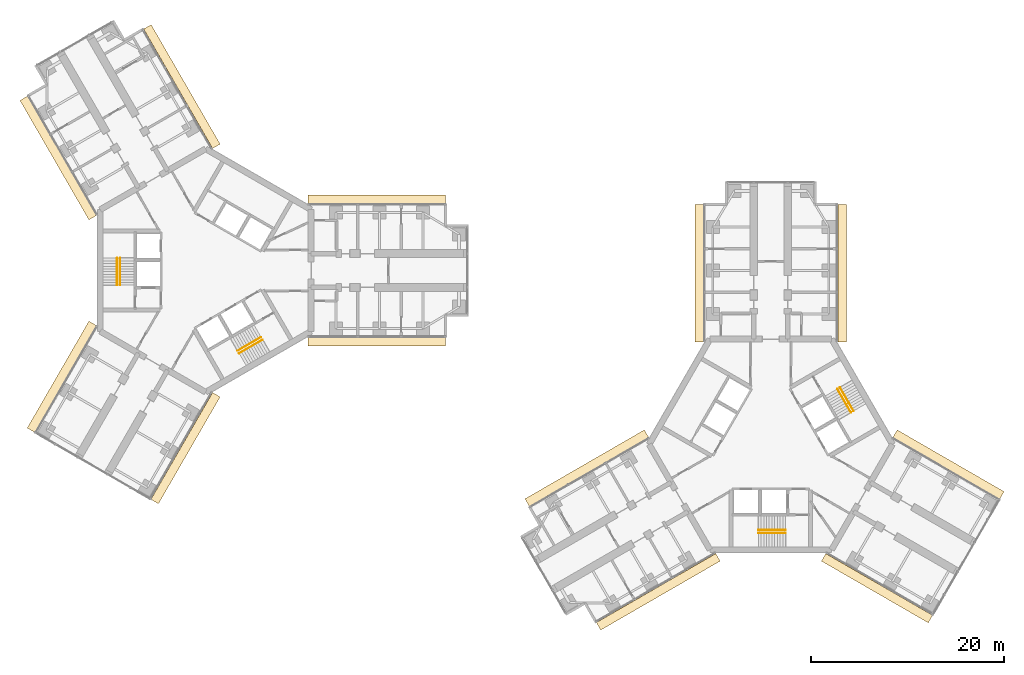
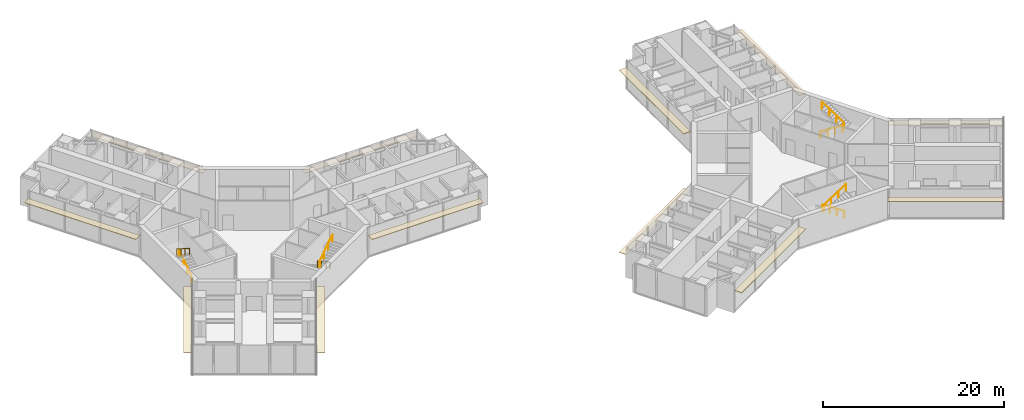
# One storey, part 21 of 21: 12 coverings, 8 railings.
"""IFC4 building model written with IfcOpenShell, lengths in metres."""

from ifc_helpers import new_model, si_unit, direction, frame, origin, origin_2d, place, context, subcontext, project, spatial, rectangle, circle, extrude, material, layer, layer_set, type_object, element, save


model = new_model("IFC4")

# Units and contexts
model_context = context("Model", 3, precision=1e-05, world=origin(), true_north=direction((0.0, 1.0)))
body_context = subcontext(model_context, "Body", "Model", "MODEL_VIEW")
ifc_project = project(units=[si_unit("LENGTHUNIT", "METRE"), si_unit("AREAUNIT", "SQUARE_METRE"), si_unit("VOLUMEUNIT", "CUBIC_METRE"), si_unit("PLANEANGLEUNIT", "RADIAN"), si_unit("MASSUNIT", "GRAM", prefix="KILO")], contexts=[model_context])

# Site, building, storey
site_placement = place(None, origin())
site = spatial("IfcSite", under=ifc_project, at=site_placement, CompositionType="ELEMENT")
building_placement = place(site_placement, origin())
building = spatial("IfcBuilding", under=site, at=building_placement, Name="Upepo Twin Towers", CompositionType="ELEMENT")
storey_placement = place(building_placement, frame((0.0, 0.0, 117.5)))
storey = spatial("IfcBuildingStorey", under=building, at=storey_placement, Name="L28", CompositionType="ELEMENT", Elevation=117.5)

# Coverings
ifc_material_1 = material(Name="Anodised aluminium, pale silver", Category="aluminium")
ifc_layer = layer(ifc_material_1, 0.080078125)
ifc_layer_set = layer_set([ifc_layer], Name="Brise-soleil blade 900 pale aluminium")
covering_type = type_object("IfcCoveringType", Name="Brise-soleil blade 900 pale aluminium", PredefinedType="USERDEFINED", material=ifc_layer_set)
for number, where, z_axis, x_axis, name in (
    (1, (17.718505859375, 7.389892578125, 2.909912109375), (0.0, 0.0, 1.0), (1.0, 0.0, 0.0), "T1 L28 wing A brise-soleil L"),
    (2, (17.718505859375, -7.389892578125, 2.909912109375), (0.0, 0.0, 1.0), (1.0, 0.0, 0.0), "T1 L28 wing A brise-soleil R"),
    (3, (-15.25927734375, 11.649658203125, 2.909912109375), (0.0, 0.0, 1.0), (-0.500000015115, 0.866025395058, 0.0), "T1 L28 wing B brise-soleil L"),
    (4, (-2.459228515625, 19.039794921875, 2.909912109375), (0.0, 0.0, 1.0), (-0.500000015115, 0.866025395058, 0.0), "T1 L28 wing B brise-soleil R"),
):
    element("IfcCovering", number, at=place(storey_placement, frame(where, z_axis=z_axis, x_axis=x_axis)), inside=storey, type_object=covering_type, Name=name, ObjectType="SUNSHADE", PredefinedType="USERDEFINED", context=body_context, shape_type="SweptSolid", body=[
        extrude(rectangle(XDim=14.262939453125, YDim=0.89990234375, at=origin_2d()), origin(), (0.0, 0.0, 1.0), 0.080078125),
    ])
for number, where, z_axis, x_axis, name in (
    (5, (-2.084228515625, -18.39013671875, 2.909912109375), (0.0, 0.0, 1.0), (-0.500000015115, -0.866025395058, 0.0), "T1 L28 wing C brise-soleil L"),
    (6, (-14.88427734375, -11.000244140625, 2.909912109375), (0.0, 0.0, 1.0), (-0.500000015115, -0.866025395058, 0.0), "T1 L28 wing C brise-soleil R"),
):
    element("IfcCovering", number, at=place(storey_placement, frame(where, z_axis=z_axis, x_axis=x_axis)), inside=storey, type_object=covering_type, Name=name, ObjectType="SUNSHADE", PredefinedType="USERDEFINED", context=body_context, shape_type="SweptSolid", body=[
        extrude(rectangle(XDim=12.762939453125, YDim=0.89990234375, at=origin_2d()), origin(), (0.0, 0.0, 1.0), 0.080078125),
    ])
for number, where, z_axis, x_axis, name in (
    (7, (51.110107421875, -0.281494140625, 2.909912109375), (0.0, 0.0, 1.0), (0.0, 1.0, 0.0), "T2 L28 wing A brise-soleil L"),
    (8, (65.889892578125, -0.281494140625, 2.909912109375), (0.0, 0.0, 1.0), (0.0, 1.0, 0.0), "T2 L28 wing A brise-soleil R"),
    (9, (46.850341796875, -33.25927734375, 2.909912109375), (0.0, 0.0, 1.0), (-0.866025395058, -0.500000015115, 0.0), "T2 L28 wing B brise-soleil L"),
    (10, (39.460205078125, -20.459228515625, 2.909912109375), (0.0, 0.0, 1.0), (-0.866025395058, -0.500000015115, 0.0), "T2 L28 wing B brise-soleil R"),
):
    element("IfcCovering", number, at=place(storey_placement, frame(where, z_axis=z_axis, x_axis=x_axis)), inside=storey, type_object=covering_type, Name=name, ObjectType="SUNSHADE", PredefinedType="USERDEFINED", context=body_context, shape_type="SweptSolid", body=[
        extrude(rectangle(XDim=14.262939453125, YDim=0.89990234375, at=origin_2d()), origin(), (0.0, 0.0, 1.0), 0.080078125),
    ])
for number, where, z_axis, x_axis, name in (
    (11, (76.89013671875, -20.084228515625, 2.909912109375), (0.0, 0.0, 1.0), (0.866025395058, -0.500000015115, 0.0), "T2 L28 wing C brise-soleil L"),
    (12, (69.500244140625, -32.88427734375, 2.909912109375), (0.0, 0.0, 1.0), (0.866025395058, -0.500000015115, 0.0), "T2 L28 wing C brise-soleil R"),
):
    element("IfcCovering", number, at=place(storey_placement, frame(where, z_axis=z_axis, x_axis=x_axis)), inside=storey, type_object=covering_type, Name=name, ObjectType="SUNSHADE", PredefinedType="USERDEFINED", context=body_context, shape_type="SweptSolid", body=[
        extrude(rectangle(XDim=12.762939453125, YDim=0.89990234375, at=origin_2d()), origin(), (0.0, 0.0, 1.0), 0.080078125),
    ])

# Railings
ifc_material_2 = material(Name="Stainless steel", Category="steel")
railing_type = type_object("IfcRailingType", Name="Stair handrail 900", PredefinedType="HANDRAIL", material=ifc_material_2)
railing_1_placement = place(storey_placement, frame((-8.85009765625, -1.52001953125, 0.181884765625)))
element("IfcRailing", 13, at=railing_1_placement, inside=storey, type_object=railing_type, Name="T1 stair S1 L28 handrail 1", PredefinedType="HANDRAIL", context=body_context, shape_type="SweptSolid", body=[
    extrude(circle(Radius=0.02392578125, at=origin_2d()), frame((0.0, 0.0, 0.8759765625), z_axis=(0.0, 0.838705829183, 0.544584733623), x_axis=(-1.0, 0.0, 0.0)), (0.0, 0.0, 1.0), 3.338623046875),
    extrude(circle(Radius=0.02099609375, at=origin_2d()), origin(), (0.0, 0.0, 1.0), 0.851806640625),
    extrude(circle(Radius=0.02099609375, at=origin_2d()), frame((0.0, 0.933349609375, 0.60595703125)), (0.0, 0.0, 1.0), 0.851806640625),
    extrude(circle(Radius=0.02099609375, at=origin_2d()), frame((0.0, 1.86669921875, 1.212158203125)), (0.0, 0.0, 1.0), 0.851806640625),
    extrude(circle(Radius=0.02099609375, at=origin_2d()), frame((0.0, 2.800048828125, 1.818115234375)), (0.0, 0.0, 1.0), 0.851806640625),
])
railing_2_placement = place(storey_placement, frame((-9.158447265625, 1.280029296875, 2.181884765625)))
element("IfcRailing", 14, at=railing_2_placement, inside=storey, type_object=railing_type, Name="T1 stair S1 L28 handrail 2", PredefinedType="HANDRAIL", context=body_context, shape_type="SweptSolid", body=[
    extrude(circle(Radius=0.02392578125, at=origin_2d()), frame((0.0, 0.0, 0.8759765625), z_axis=(0.0, -0.838705829183, 0.544584733623), x_axis=(1.0, 0.0, 0.0)), (0.0, 0.0, 1.0), 3.338623046875),
    extrude(circle(Radius=0.02099609375, at=origin_2d()), origin(), (0.0, 0.0, 1.0), 0.851806640625),
    extrude(circle(Radius=0.02099609375, at=origin_2d()), frame((0.0, -0.933349609375, 0.60595703125)), (0.0, 0.0, 1.0), 0.851806640625),
    extrude(circle(Radius=0.02099609375, at=origin_2d()), frame((0.0, -1.86669921875, 1.212158203125)), (0.0, 0.0, 1.0), 0.851806640625),
    extrude(circle(Radius=0.02099609375, at=origin_2d()), frame((0.0, -2.800048828125, 1.818115234375)), (0.0, 0.0, 1.0), 0.851806640625),
])
railing_3_placement = place(storey_placement, frame((5.741455078125, -6.904296875, 0.181884765625)))
element("IfcRailing", 15, at=railing_3_placement, inside=storey, type_object=railing_type, Name="T1 stair S2 L28 handrail 1", PredefinedType="HANDRAIL", context=body_context, shape_type="SweptSolid", body=[
    extrude(circle(Radius=0.02392578125, at=origin_2d()), frame((0.0, 0.0, 0.8759765625), z_axis=(-0.726348578268, -0.419370693282, 0.544560340518), x_axis=(0.500011755427, -0.866018616679, 0.0)), (0.0, 0.0, 1.0), 3.338623046875),
    extrude(circle(Radius=0.02099609375, at=origin_2d()), origin(), (0.0, 0.0, 1.0), 0.851806640625),
    extrude(circle(Radius=0.02099609375, at=origin_2d()), frame((-0.808349609375, -0.466796875, 0.60595703125)), (0.0, 0.0, 1.0), 0.851806640625),
    extrude(circle(Radius=0.02099609375, at=origin_2d()), frame((-1.61669921875, -0.933349609375, 1.212158203125)), (0.0, 0.0, 1.0), 0.851806640625),
    extrude(circle(Radius=0.02099609375, at=origin_2d()), frame((-2.425048828125, -1.400146484375, 1.818115234375)), (0.0, 0.0, 1.0), 0.851806640625),
])
railing_4_placement = place(storey_placement, frame((3.470703125, -8.5712890625, 2.181884765625)))
element("IfcRailing", 16, at=railing_4_placement, inside=storey, type_object=railing_type, Name="T1 stair S2 L28 handrail 2", PredefinedType="HANDRAIL", context=body_context, shape_type="SweptSolid", body=[
    extrude(circle(Radius=0.02392578125, at=origin_2d()), frame((0.0, 0.0, 0.8759765625), z_axis=(0.726336304947, 0.419332699614, 0.544605966869), x_axis=(-0.49998411664, 0.866034573852, 0.0)), (0.0, 0.0, 1.0), 3.33837890625),
    extrude(circle(Radius=0.02099609375, at=origin_2d()), origin(), (0.0, 0.0, 1.0), 0.851806640625),
    extrude(circle(Radius=0.02099609375, at=origin_2d()), frame((0.808349609375, 0.466552734375, 0.60595703125)), (0.0, 0.0, 1.0), 0.851806640625),
    extrude(circle(Radius=0.02099609375, at=origin_2d()), frame((1.616455078125, 0.933349609375, 1.212158203125)), (0.0, 0.0, 1.0), 0.851806640625),
    extrude(circle(Radius=0.02099609375, at=origin_2d()), frame((2.4248046875, 1.39990234375, 1.818115234375)), (0.0, 0.0, 1.0), 0.851806640625),
])
railing_5_placement = place(storey_placement, frame((60.02001953125, -26.85009765625, 0.181884765625)))
element("IfcRailing", 17, at=railing_5_placement, inside=storey, type_object=railing_type, Name="T2 stair S1 L28 handrail 1", PredefinedType="HANDRAIL", context=body_context, shape_type="SweptSolid", body=[
    extrude(circle(Radius=0.02392578125, at=origin_2d()), frame((0.0, 0.0, 0.8759765625), z_axis=(-0.838705829183, 0.0, 0.544584733623), x_axis=(0.0, -1.0, 0.0)), (0.0, 0.0, 1.0), 3.338623046875),
    extrude(circle(Radius=0.02099609375, at=origin_2d()), origin(), (0.0, 0.0, 1.0), 0.851806640625),
    extrude(circle(Radius=0.02099609375, at=origin_2d()), frame((-0.933349609375, 0.0, 0.60595703125)), (0.0, 0.0, 1.0), 0.851806640625),
    extrude(circle(Radius=0.02099609375, at=origin_2d()), frame((-1.86669921875, 0.0, 1.212158203125)), (0.0, 0.0, 1.0), 0.851806640625),
    extrude(circle(Radius=0.02099609375, at=origin_2d()), frame((-2.800048828125, 0.0, 1.818115234375)), (0.0, 0.0, 1.0), 0.851806640625),
])
railing_6_placement = place(storey_placement, frame((57.219970703125, -27.158447265625, 2.181884765625)))
element("IfcRailing", 18, at=railing_6_placement, inside=storey, type_object=railing_type, Name="T2 stair S1 L28 handrail 2", PredefinedType="HANDRAIL", context=body_context, shape_type="SweptSolid", body=[
    extrude(circle(Radius=0.02392578125, at=origin_2d()), frame((0.0, 0.0, 0.8759765625), z_axis=(0.838705829183, 0.0, 0.544584733623), x_axis=(0.0, 1.0, 0.0)), (0.0, 0.0, 1.0), 3.338623046875),
    extrude(circle(Radius=0.02099609375, at=origin_2d()), origin(), (0.0, 0.0, 1.0), 0.851806640625),
    extrude(circle(Radius=0.02099609375, at=origin_2d()), frame((0.933349609375, 0.0, 0.60595703125)), (0.0, 0.0, 1.0), 0.851806640625),
    extrude(circle(Radius=0.02099609375, at=origin_2d()), frame((1.86669921875, 0.0, 1.212158203125)), (0.0, 0.0, 1.0), 0.851806640625),
    extrude(circle(Radius=0.02099609375, at=origin_2d()), frame((2.800048828125, 0.0, 1.818115234375)), (0.0, 0.0, 1.0), 0.851806640625),
])
railing_7_placement = place(storey_placement, frame((65.404296875, -12.258544921875, 0.181884765625)))
element("IfcRailing", 19, at=railing_7_placement, inside=storey, type_object=railing_type, Name="T2 stair S2 L28 handrail 1", PredefinedType="HANDRAIL", context=body_context, shape_type="SweptSolid", body=[
    extrude(circle(Radius=0.02392578125, at=origin_2d()), frame((0.0, 0.0, 0.8759765625), z_axis=(0.419370693282, -0.726348578268, 0.544560340518), x_axis=(0.866018616679, 0.500011755427, 0.0)), (0.0, 0.0, 1.0), 3.338623046875),
    extrude(circle(Radius=0.02099609375, at=origin_2d()), origin(), (0.0, 0.0, 1.0), 0.851806640625),
    extrude(circle(Radius=0.02099609375, at=origin_2d()), frame((0.466796875, -0.808349609375, 0.60595703125)), (0.0, 0.0, 1.0), 0.851806640625),
    extrude(circle(Radius=0.02099609375, at=origin_2d()), frame((0.933349609375, -1.61669921875, 1.212158203125)), (0.0, 0.0, 1.0), 0.851806640625),
    extrude(circle(Radius=0.02099609375, at=origin_2d()), frame((1.400146484375, -2.425048828125, 1.818115234375)), (0.0, 0.0, 1.0), 0.851806640625),
])
railing_8_placement = place(storey_placement, frame((67.0712890625, -14.529296875, 2.181884765625)))
element("IfcRailing", 20, at=railing_8_placement, inside=storey, type_object=railing_type, Name="T2 stair S2 L28 handrail 2", PredefinedType="HANDRAIL", context=body_context, shape_type="SweptSolid", body=[
    extrude(circle(Radius=0.02392578125, at=origin_2d()), frame((0.0, 0.0, 0.8759765625), z_axis=(-0.419332699614, 0.726336304947, 0.544605966869), x_axis=(-0.866034573852, -0.49998411664, 0.0)), (0.0, 0.0, 1.0), 3.33837890625),
    extrude(circle(Radius=0.02099609375, at=origin_2d()), origin(), (0.0, 0.0, 1.0), 0.851806640625),
    extrude(circle(Radius=0.02099609375, at=origin_2d()), frame((-0.466552734375, 0.808349609375, 0.60595703125)), (0.0, 0.0, 1.0), 0.851806640625),
    extrude(circle(Radius=0.02099609375, at=origin_2d()), frame((-0.933349609375, 1.616455078125, 1.212158203125)), (0.0, 0.0, 1.0), 0.851806640625),
    extrude(circle(Radius=0.02099609375, at=origin_2d()), frame((-1.39990234375, 2.4248046875, 1.818115234375)), (0.0, 0.0, 1.0), 0.851806640625),
])

save(model, "model.ifc")
